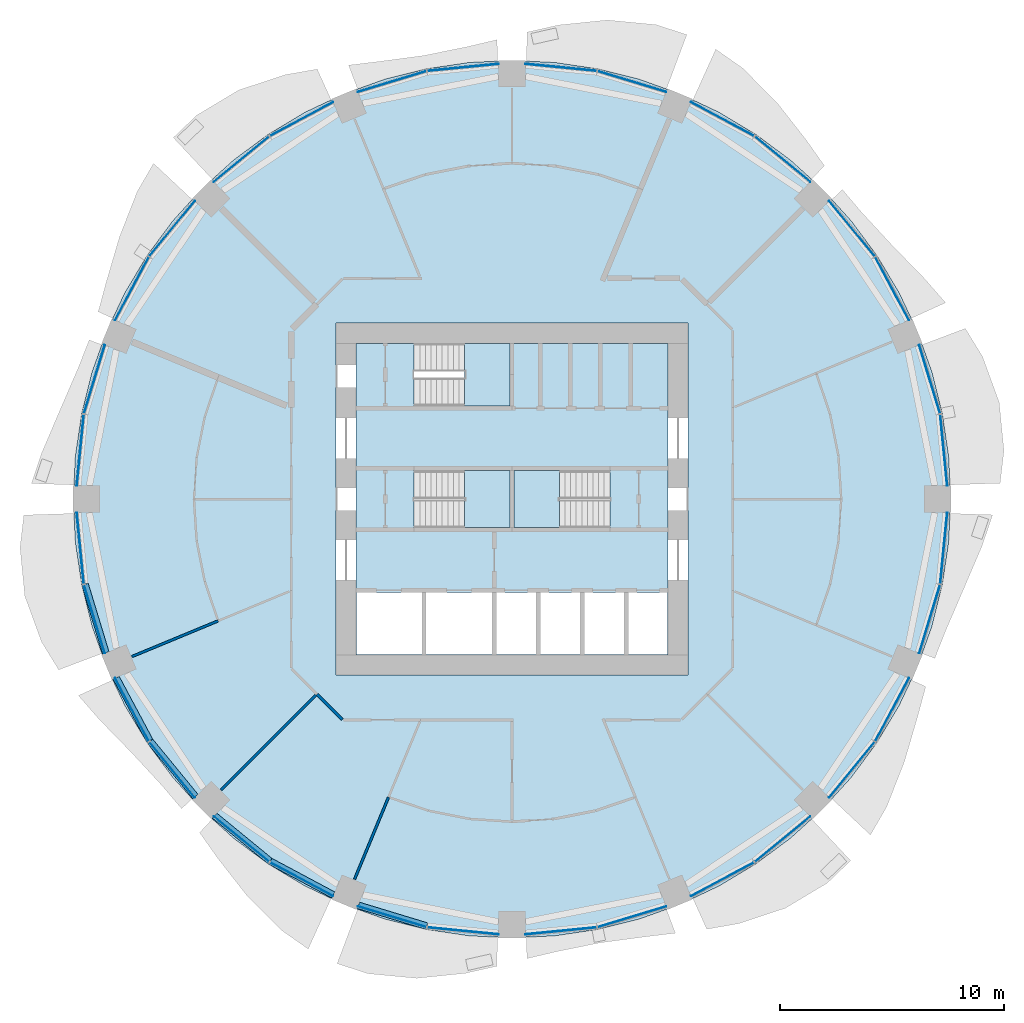
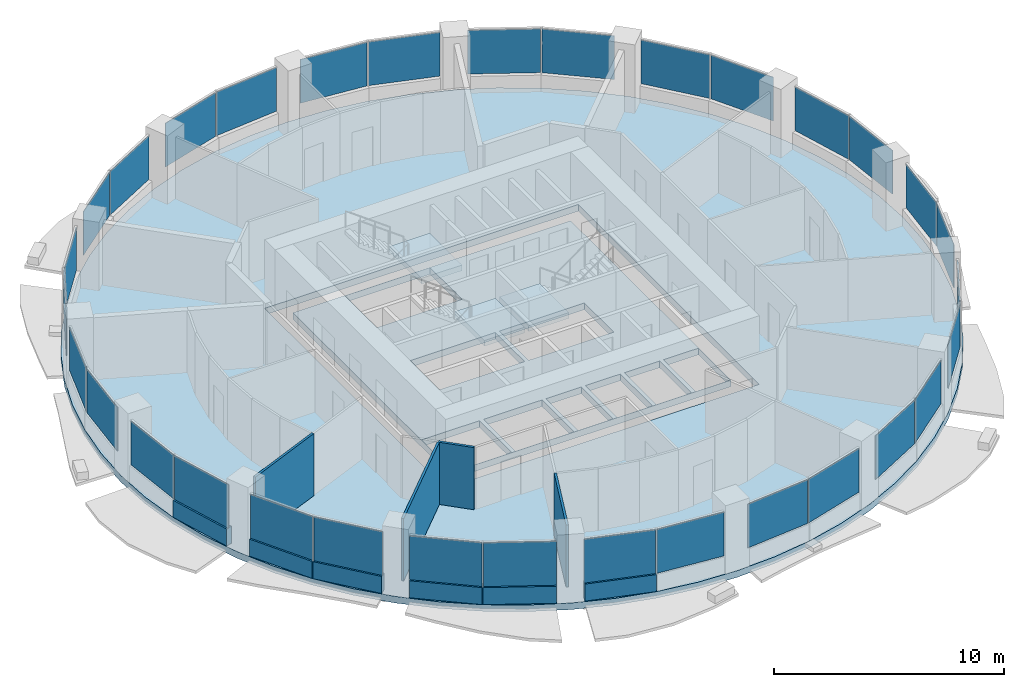
# One storey, part 7 of 15: 32 plates, 10 walls, 5 slabs, 19 elements without a shape of their own.
"""IFC4 building model written with IfcOpenShell, lengths in metres."""

from ifc_helpers import new_model, si_unit, direction, frame, frame_2d, origin, origin_2d, place, context, subcontext, project, spatial, polyline, rectangle, outline, extrude, material, layer, layer_set, type_object, element, aggregate, save


model = new_model("IFC4")

# Units and contexts
model_context = context("Model", 3, precision=1e-05, world=origin(), true_north=direction((0.0, 1.0)))
body_context = subcontext(model_context, "Body", "Model", "MODEL_VIEW")
ifc_project = project(units=[si_unit("LENGTHUNIT", "METRE"), si_unit("AREAUNIT", "SQUARE_METRE"), si_unit("VOLUMEUNIT", "CUBIC_METRE"), si_unit("PLANEANGLEUNIT", "RADIAN"), si_unit("MASSUNIT", "GRAM", prefix="KILO")], contexts=[model_context])

# Site, building, storey
site_placement = place(None, origin())
site = spatial("IfcSite", under=ifc_project, at=site_placement, CompositionType="ELEMENT")
building_placement = place(site_placement, origin())
building = spatial("IfcBuilding", under=site, at=building_placement, Name="Polderwave Tower", CompositionType="ELEMENT")
storey_placement = place(building_placement, frame((0.0, 0.0, 48.10009765625)))
storey = spatial("IfcBuildingStorey", under=building, at=storey_placement, Name="L12", CompositionType="ELEMENT", Elevation=48.10009765625)

# Slab
ifc_material_1 = material(Name="Concrete C40/50", Category="concrete")
ifc_layer_1 = layer(ifc_material_1, 0.35009765625)
ifc_layer_set_1 = layer_set([ifc_layer_1], Name="Core floor slab 350")
slab_type_1 = type_object("IfcSlabType", Name="Core floor slab 350", PredefinedType="FLOOR", material=ifc_layer_set_1)
slab_1_placement = place(storey_placement, frame((0.0, 0.0, -0.35009765625)))
element("IfcSlab", 1, at=slab_1_placement, inside=storey, type_object=slab_type_1, Name="L12 core floor", PredefinedType="FLOOR", context=body_context, shape_type="SweptSolid", body=[
    extrude(outline(polyline([(-6.97412109375, -6.97412109375), (6.97412109375, -6.97412109375), (6.97412109375, 6.97412109375), (-6.97412109375, 6.97412109375), (-6.97412109375, -6.97412109375)]), holes=[polyline([(-6.9541015625, -6.9541015625), (-4.037109375, -6.9541015625), (-4.037109375, -4.174072265625), (-6.9541015625, -4.174072265625), (-6.9541015625, -6.9541015625)]), polyline([(-3.8369140625, -6.9541015625), (-0.89990234375, -6.9541015625), (-0.89990234375, -4.174072265625), (-3.8369140625, -4.174072265625), (-3.8369140625, -6.9541015625)]), polyline([(-0.699951171875, -6.9541015625), (1.068603515625, -6.9541015625), (1.068603515625, -4.174072265625), (-0.699951171875, -4.174072265625), (-0.699951171875, -6.9541015625)]), polyline([(1.2685546875, -6.9541015625), (3.037109375, -6.9541015625), (3.037109375, -4.174072265625), (1.2685546875, -4.174072265625), (1.2685546875, -6.9541015625)]), polyline([(3.237060546875, -6.9541015625), (5.005615234375, -6.9541015625), (5.005615234375, -4.174072265625), (3.237060546875, -4.174072265625), (3.237060546875, -6.9541015625)]), polyline([(5.20556640625, -6.9541015625), (6.9541015625, -6.9541015625), (6.9541015625, -4.174072265625), (5.20556640625, -4.174072265625), (5.20556640625, -6.9541015625)]), polyline([(-4.37353515625, -1.2744140625), (-0.1005859375, -1.2744140625), (-0.1005859375, 1.2744140625), (-4.37353515625, 1.2744140625), (-4.37353515625, -1.2744140625)]), polyline([(0.1005859375, -1.2744140625), (4.37353515625, -1.2744140625), (4.37353515625, 1.2744140625), (0.1005859375, 1.2744140625), (0.1005859375, -1.2744140625)]), polyline([(-4.37353515625, 4.174560546875), (-0.1005859375, 4.174560546875), (-0.1005859375, 6.9541015625), (-4.37353515625, 6.9541015625), (-4.37353515625, 4.174560546875)])]), origin(), (0.0, 0.0, 1.0), 0.35009765625),
])

# Curtain wall, plates
ifc_material_2 = material(Name="Aluminium 6063-T6 and glass", Category="aluminium")
curtain_wall_type = type_object("IfcCurtainWallType", Name="Growing floor ribbon glazing wall", PredefinedType="NOTDEFINED", material=ifc_material_2)
curtain_wall_1_placement = place(storey_placement, origin())
curtain_wall_1 = element("IfcCurtainWall", 2, at=curtain_wall_1_placement, inside=storey, type_object=curtain_wall_type, Name="CW2 L12 00", PredefinedType="NOTDEFINED")
ifc_material_3 = material(Name="Glass, low-e laminated double glazing", Category="glass")
ifc_layer_2 = layer(ifc_material_3, 0.028076171875)
ifc_layer_set_2 = layer_set([ifc_layer_2], Name="Growing floor ribbon glazing glass panel 28 mm")
plate_type = type_object("IfcPlateType", Name="Growing floor ribbon glazing glass panel 28 mm", PredefinedType="CURTAIN_PANEL", material=ifc_layer_set_2)
plate_1_placement = place(storey_placement, frame((19.314453125, 2.190185546875, 0.89990234375), z_axis=(0.0, 0.0, 1.0), x_axis=(-0.097968506312, 0.995189515505, 0.0)))
plate_1 = element("IfcPlate", 3, at=plate_1_placement, type_object=plate_type, Name="CW2 panel 1", PredefinedType="CURTAIN_PANEL", context=body_context, shape_type="SweptSolid", body=[
    extrude(rectangle(XDim=3.195556640625, YDim=0.028076171875, at=origin_2d()), origin(), (0.0, 0.0, 1.0), 2.320068359375),
])
plate_2_placement = place(storey_placement, frame((18.68212890625, 5.367919921875, 0.89990234375), z_axis=(0.0, 0.0, 1.0), x_axis=(-0.290446680162, 0.956891177712, 0.0)))
plate_2 = element("IfcPlate", 4, at=plate_2_placement, type_object=plate_type, Name="CW2 panel 2", PredefinedType="CURTAIN_PANEL", context=body_context, shape_type="SweptSolid", body=[
    extrude(rectangle(XDim=3.196044921875, YDim=0.028076171875, at=origin_2d()), origin(), (0.0, 0.0, 1.0), 2.320068359375),
])
aggregate(curtain_wall_1, [plate_1, plate_2])

curtain_wall_2_placement = place(storey_placement, origin())
curtain_wall_2 = element("IfcCurtainWall", 5, at=curtain_wall_2_placement, inside=storey, type_object=curtain_wall_type, Name="CW2 L12 01", PredefinedType="NOTDEFINED")
plate_3_placement = place(storey_placement, frame((17.006103515625, 9.414794921875, 0.89990234375), z_axis=(0.0, 0.0, 1.0), x_axis=(-0.471361333858, 0.881940186716, 0.0)))
plate_3 = element("IfcPlate", 6, at=plate_3_placement, type_object=plate_type, Name="CW2 panel 1", PredefinedType="CURTAIN_PANEL", context=body_context, shape_type="SweptSolid", body=[
    extrude(rectangle(XDim=3.194580078125, YDim=0.028076171875, at=origin_2d()), origin(), (0.0, 0.0, 1.0), 2.320068359375),
])
plate_4_placement = place(storey_placement, frame((15.2060546875, 12.108642578125, 0.89990234375), z_axis=(0.0, 0.0, 1.0), x_axis=(-0.634435107126, 0.772976128251, 0.0)))
plate_4 = element("IfcPlate", 7, at=plate_4_placement, type_object=plate_type, Name="CW2 panel 2", PredefinedType="CURTAIN_PANEL", context=body_context, shape_type="SweptSolid", body=[
    extrude(rectangle(XDim=3.196533203125, YDim=0.028076171875, at=origin_2d()), origin(), (0.0, 0.0, 1.0), 2.320068359375),
])
aggregate(curtain_wall_2, [plate_3, plate_4])

curtain_wall_3_placement = place(storey_placement, origin())
curtain_wall_3 = element("IfcCurtainWall", 8, at=curtain_wall_3_placement, inside=storey, type_object=curtain_wall_type, Name="CW2 L12 02", PredefinedType="NOTDEFINED")
plate_5_placement = place(storey_placement, frame((12.108642578125, 15.2060546875, 0.89990234375), z_axis=(0.0, 0.0, 1.0), x_axis=(-0.772976128251, 0.634435107126, 0.0)))
plate_5 = element("IfcPlate", 9, at=plate_5_placement, type_object=plate_type, Name="CW2 panel 1", PredefinedType="CURTAIN_PANEL", context=body_context, shape_type="SweptSolid", body=[
    extrude(rectangle(XDim=3.196533203125, YDim=0.028076171875, at=origin_2d()), origin(), (0.0, 0.0, 1.0), 2.320068359375),
])
plate_6_placement = place(storey_placement, frame((9.414794921875, 17.006103515625, 0.89990234375), z_axis=(0.0, 0.0, 1.0), x_axis=(-0.881940186716, 0.471361333858, 0.0)))
plate_6 = element("IfcPlate", 10, at=plate_6_placement, type_object=plate_type, Name="CW2 panel 2", PredefinedType="CURTAIN_PANEL", context=body_context, shape_type="SweptSolid", body=[
    extrude(rectangle(XDim=3.194580078125, YDim=0.028076171875, at=origin_2d()), origin(), (0.0, 0.0, 1.0), 2.320068359375),
])
aggregate(curtain_wall_3, [plate_5, plate_6])

curtain_wall_4_placement = place(storey_placement, origin())
curtain_wall_4 = element("IfcCurtainWall", 11, at=curtain_wall_4_placement, inside=storey, type_object=curtain_wall_type, Name="CW2 L12 03", PredefinedType="NOTDEFINED")
plate_7_placement = place(storey_placement, frame((5.367919921875, 18.68212890625, 0.89990234375), z_axis=(0.0, 0.0, 1.0), x_axis=(-0.956891177712, 0.290446680162, 0.0)))
plate_7 = element("IfcPlate", 12, at=plate_7_placement, type_object=plate_type, Name="CW2 panel 1", PredefinedType="CURTAIN_PANEL", context=body_context, shape_type="SweptSolid", body=[
    extrude(rectangle(XDim=3.196044921875, YDim=0.028076171875, at=origin_2d()), origin(), (0.0, 0.0, 1.0), 2.320068359375),
])
plate_8_placement = place(storey_placement, frame((2.190185546875, 19.314453125, 0.89990234375), z_axis=(0.0, 0.0, 1.0), x_axis=(-0.995189515505, 0.097968506312, 0.0)))
plate_8 = element("IfcPlate", 13, at=plate_8_placement, type_object=plate_type, Name="CW2 panel 2", PredefinedType="CURTAIN_PANEL", context=body_context, shape_type="SweptSolid", body=[
    extrude(rectangle(XDim=3.195556640625, YDim=0.028076171875, at=origin_2d()), origin(), (0.0, 0.0, 1.0), 2.320068359375),
])
aggregate(curtain_wall_4, [plate_7, plate_8])

curtain_wall_5_placement = place(storey_placement, origin())
curtain_wall_5 = element("IfcCurtainWall", 14, at=curtain_wall_5_placement, inside=storey, type_object=curtain_wall_type, Name="CW2 L12 04", PredefinedType="NOTDEFINED")
plate_9_placement = place(storey_placement, frame((-2.190185546875, 19.314453125, 0.89990234375), z_axis=(0.0, 0.0, 1.0), x_axis=(-0.995189515505, -0.097968506312, 0.0)))
plate_9 = element("IfcPlate", 15, at=plate_9_placement, type_object=plate_type, Name="CW2 panel 1", PredefinedType="CURTAIN_PANEL", context=body_context, shape_type="SweptSolid", body=[
    extrude(rectangle(XDim=3.195556640625, YDim=0.028076171875, at=origin_2d()), origin(), (0.0, 0.0, 1.0), 2.320068359375),
])
plate_10_placement = place(storey_placement, frame((-5.367919921875, 18.68212890625, 0.89990234375), z_axis=(0.0, 0.0, 1.0), x_axis=(-0.956891177712, -0.290446680162, 0.0)))
plate_10 = element("IfcPlate", 16, at=plate_10_placement, type_object=plate_type, Name="CW2 panel 2", PredefinedType="CURTAIN_PANEL", context=body_context, shape_type="SweptSolid", body=[
    extrude(rectangle(XDim=3.196044921875, YDim=0.028076171875, at=origin_2d()), origin(), (0.0, 0.0, 1.0), 2.320068359375),
])
aggregate(curtain_wall_5, [plate_9, plate_10])

curtain_wall_6_placement = place(storey_placement, origin())
curtain_wall_6 = element("IfcCurtainWall", 17, at=curtain_wall_6_placement, inside=storey, type_object=curtain_wall_type, Name="CW2 L12 05", PredefinedType="NOTDEFINED")
plate_11_placement = place(storey_placement, frame((-9.414794921875, 17.006103515625, 0.89990234375), z_axis=(0.0, 0.0, 1.0), x_axis=(-0.881940186716, -0.471361333858, 0.0)))
plate_11 = element("IfcPlate", 18, at=plate_11_placement, type_object=plate_type, Name="CW2 panel 1", PredefinedType="CURTAIN_PANEL", context=body_context, shape_type="SweptSolid", body=[
    extrude(rectangle(XDim=3.194580078125, YDim=0.028076171875, at=origin_2d()), origin(), (0.0, 0.0, 1.0), 2.320068359375),
])
plate_12_placement = place(storey_placement, frame((-12.108642578125, 15.2060546875, 0.89990234375), z_axis=(0.0, 0.0, 1.0), x_axis=(-0.772976128251, -0.634435107126, 0.0)))
plate_12 = element("IfcPlate", 19, at=plate_12_placement, type_object=plate_type, Name="CW2 panel 2", PredefinedType="CURTAIN_PANEL", context=body_context, shape_type="SweptSolid", body=[
    extrude(rectangle(XDim=3.196533203125, YDim=0.028076171875, at=origin_2d()), origin(), (0.0, 0.0, 1.0), 2.320068359375),
])
aggregate(curtain_wall_6, [plate_11, plate_12])

curtain_wall_7_placement = place(storey_placement, origin())
curtain_wall_7 = element("IfcCurtainWall", 20, at=curtain_wall_7_placement, inside=storey, type_object=curtain_wall_type, Name="CW2 L12 06", PredefinedType="NOTDEFINED")
plate_13_placement = place(storey_placement, frame((-15.2060546875, 12.108642578125, 0.89990234375), z_axis=(0.0, 0.0, 1.0), x_axis=(-0.634435107126, -0.772976128251, 0.0)))
plate_13 = element("IfcPlate", 21, at=plate_13_placement, type_object=plate_type, Name="CW2 panel 1", PredefinedType="CURTAIN_PANEL", context=body_context, shape_type="SweptSolid", body=[
    extrude(rectangle(XDim=3.196533203125, YDim=0.028076171875, at=origin_2d()), origin(), (0.0, 0.0, 1.0), 2.320068359375),
])
plate_14_placement = place(storey_placement, frame((-17.006103515625, 9.414794921875, 0.89990234375), z_axis=(0.0, 0.0, 1.0), x_axis=(-0.471361333858, -0.881940186716, 0.0)))
plate_14 = element("IfcPlate", 22, at=plate_14_placement, type_object=plate_type, Name="CW2 panel 2", PredefinedType="CURTAIN_PANEL", context=body_context, shape_type="SweptSolid", body=[
    extrude(rectangle(XDim=3.194580078125, YDim=0.028076171875, at=origin_2d()), origin(), (0.0, 0.0, 1.0), 2.320068359375),
])
aggregate(curtain_wall_7, [plate_13, plate_14])

curtain_wall_8_placement = place(storey_placement, origin())
curtain_wall_8 = element("IfcCurtainWall", 23, at=curtain_wall_8_placement, inside=storey, type_object=curtain_wall_type, Name="CW2 L12 07", PredefinedType="NOTDEFINED")
plate_15_placement = place(storey_placement, frame((-18.68212890625, 5.367919921875, 0.89990234375), z_axis=(0.0, 0.0, 1.0), x_axis=(-0.290446680162, -0.956891177712, 0.0)))
plate_15 = element("IfcPlate", 24, at=plate_15_placement, type_object=plate_type, Name="CW2 panel 1", PredefinedType="CURTAIN_PANEL", context=body_context, shape_type="SweptSolid", body=[
    extrude(rectangle(XDim=3.196044921875, YDim=0.028076171875, at=origin_2d()), origin(), (0.0, 0.0, 1.0), 2.320068359375),
])
plate_16_placement = place(storey_placement, frame((-19.314453125, 2.190185546875, 0.89990234375), z_axis=(0.0, 0.0, 1.0), x_axis=(-0.097968506312, -0.995189515505, 0.0)))
plate_16 = element("IfcPlate", 25, at=plate_16_placement, type_object=plate_type, Name="CW2 panel 2", PredefinedType="CURTAIN_PANEL", context=body_context, shape_type="SweptSolid", body=[
    extrude(rectangle(XDim=3.195556640625, YDim=0.028076171875, at=origin_2d()), origin(), (0.0, 0.0, 1.0), 2.320068359375),
])
aggregate(curtain_wall_8, [plate_15, plate_16])

curtain_wall_9_placement = place(storey_placement, origin())
curtain_wall_9 = element("IfcCurtainWall", 26, at=curtain_wall_9_placement, inside=storey, type_object=curtain_wall_type, Name="CW2 L12 08", PredefinedType="NOTDEFINED")
plate_17_placement = place(storey_placement, frame((-19.314453125, -2.190185546875, 0.89990234375), z_axis=(0.0, 0.0, 1.0), x_axis=(0.097968506312, -0.995189515505, 0.0)))
plate_17 = element("IfcPlate", 27, at=plate_17_placement, type_object=plate_type, Name="CW2 panel 1", PredefinedType="CURTAIN_PANEL", context=body_context, shape_type="SweptSolid", body=[
    extrude(rectangle(XDim=3.195556640625, YDim=0.028076171875, at=origin_2d()), origin(), (0.0, 0.0, 1.0), 2.320068359375),
])
plate_18_placement = place(storey_placement, frame((-18.68212890625, -5.367919921875, 0.89990234375), z_axis=(0.0, 0.0, 1.0), x_axis=(0.290446680162, -0.956891177712, 0.0)))
plate_18 = element("IfcPlate", 28, at=plate_18_placement, type_object=plate_type, Name="CW2 panel 2", PredefinedType="CURTAIN_PANEL", context=body_context, shape_type="SweptSolid", body=[
    extrude(rectangle(XDim=3.196044921875, YDim=0.028076171875, at=origin_2d()), origin(), (0.0, 0.0, 1.0), 2.320068359375),
])
aggregate(curtain_wall_9, [plate_17, plate_18])

curtain_wall_10_placement = place(storey_placement, origin())
curtain_wall_10 = element("IfcCurtainWall", 29, at=curtain_wall_10_placement, inside=storey, type_object=curtain_wall_type, Name="CW2 L12 09", PredefinedType="NOTDEFINED")
plate_19_placement = place(storey_placement, frame((-17.006103515625, -9.414794921875, 0.89990234375), z_axis=(0.0, 0.0, 1.0), x_axis=(0.471361333858, -0.881940186716, 0.0)))
plate_19 = element("IfcPlate", 30, at=plate_19_placement, type_object=plate_type, Name="CW2 panel 1", PredefinedType="CURTAIN_PANEL", context=body_context, shape_type="SweptSolid", body=[
    extrude(rectangle(XDim=3.194580078125, YDim=0.028076171875, at=origin_2d()), origin(), (0.0, 0.0, 1.0), 2.320068359375),
])
plate_20_placement = place(storey_placement, frame((-15.2060546875, -12.108642578125, 0.89990234375), z_axis=(0.0, 0.0, 1.0), x_axis=(0.634435107126, -0.772976128251, 0.0)))
plate_20 = element("IfcPlate", 31, at=plate_20_placement, type_object=plate_type, Name="CW2 panel 2", PredefinedType="CURTAIN_PANEL", context=body_context, shape_type="SweptSolid", body=[
    extrude(rectangle(XDim=3.196533203125, YDim=0.028076171875, at=origin_2d()), origin(), (0.0, 0.0, 1.0), 2.320068359375),
])
aggregate(curtain_wall_10, [plate_19, plate_20])

curtain_wall_11_placement = place(storey_placement, origin())
curtain_wall_11 = element("IfcCurtainWall", 32, at=curtain_wall_11_placement, inside=storey, type_object=curtain_wall_type, Name="CW2 L12 10", PredefinedType="NOTDEFINED")
plate_21_placement = place(storey_placement, frame((-12.108642578125, -15.2060546875, 0.89990234375), z_axis=(0.0, 0.0, 1.0), x_axis=(0.772976128251, -0.634435107126, 0.0)))
plate_21 = element("IfcPlate", 33, at=plate_21_placement, type_object=plate_type, Name="CW2 panel 1", PredefinedType="CURTAIN_PANEL", context=body_context, shape_type="SweptSolid", body=[
    extrude(rectangle(XDim=3.196533203125, YDim=0.028076171875, at=origin_2d()), origin(), (0.0, 0.0, 1.0), 2.320068359375),
])
plate_22_placement = place(storey_placement, frame((-9.414794921875, -17.006103515625, 0.89990234375), z_axis=(0.0, 0.0, 1.0), x_axis=(0.881940186716, -0.471361333858, 0.0)))
plate_22 = element("IfcPlate", 34, at=plate_22_placement, type_object=plate_type, Name="CW2 panel 2", PredefinedType="CURTAIN_PANEL", context=body_context, shape_type="SweptSolid", body=[
    extrude(rectangle(XDim=3.194580078125, YDim=0.028076171875, at=origin_2d()), origin(), (0.0, 0.0, 1.0), 2.320068359375),
])
aggregate(curtain_wall_11, [plate_21, plate_22])

curtain_wall_12_placement = place(storey_placement, origin())
curtain_wall_12 = element("IfcCurtainWall", 35, at=curtain_wall_12_placement, inside=storey, type_object=curtain_wall_type, Name="CW2 L12 11", PredefinedType="NOTDEFINED")
plate_23_placement = place(storey_placement, frame((-5.367919921875, -18.68212890625, 0.89990234375), z_axis=(0.0, 0.0, 1.0), x_axis=(0.956891177712, -0.290446680162, 0.0)))
plate_23 = element("IfcPlate", 36, at=plate_23_placement, type_object=plate_type, Name="CW2 panel 1", PredefinedType="CURTAIN_PANEL", context=body_context, shape_type="SweptSolid", body=[
    extrude(rectangle(XDim=3.196044921875, YDim=0.028076171875, at=origin_2d()), origin(), (0.0, 0.0, 1.0), 2.320068359375),
])
plate_24_placement = place(storey_placement, frame((-2.190185546875, -19.314453125, 0.89990234375), z_axis=(0.0, 0.0, 1.0), x_axis=(0.995189515505, -0.097968506312, 0.0)))
plate_24 = element("IfcPlate", 37, at=plate_24_placement, type_object=plate_type, Name="CW2 panel 2", PredefinedType="CURTAIN_PANEL", context=body_context, shape_type="SweptSolid", body=[
    extrude(rectangle(XDim=3.195556640625, YDim=0.028076171875, at=origin_2d()), origin(), (0.0, 0.0, 1.0), 2.320068359375),
])
aggregate(curtain_wall_12, [plate_23, plate_24])

curtain_wall_13_placement = place(storey_placement, origin())
curtain_wall_13 = element("IfcCurtainWall", 38, at=curtain_wall_13_placement, inside=storey, type_object=curtain_wall_type, Name="CW2 L12 12", PredefinedType="NOTDEFINED")
plate_25_placement = place(storey_placement, frame((2.190185546875, -19.314453125, 0.89990234375), z_axis=(0.0, 0.0, 1.0), x_axis=(0.995189515505, 0.097968506312, 0.0)))
plate_25 = element("IfcPlate", 39, at=plate_25_placement, type_object=plate_type, Name="CW2 panel 1", PredefinedType="CURTAIN_PANEL", context=body_context, shape_type="SweptSolid", body=[
    extrude(rectangle(XDim=3.195556640625, YDim=0.028076171875, at=origin_2d()), origin(), (0.0, 0.0, 1.0), 2.320068359375),
])
plate_26_placement = place(storey_placement, frame((5.367919921875, -18.68212890625, 0.89990234375), z_axis=(0.0, 0.0, 1.0), x_axis=(0.956891177712, 0.290446680162, 0.0)))
plate_26 = element("IfcPlate", 40, at=plate_26_placement, type_object=plate_type, Name="CW2 panel 2", PredefinedType="CURTAIN_PANEL", context=body_context, shape_type="SweptSolid", body=[
    extrude(rectangle(XDim=3.196044921875, YDim=0.028076171875, at=origin_2d()), origin(), (0.0, 0.0, 1.0), 2.320068359375),
])
aggregate(curtain_wall_13, [plate_25, plate_26])

curtain_wall_14_placement = place(storey_placement, origin())
curtain_wall_14 = element("IfcCurtainWall", 41, at=curtain_wall_14_placement, inside=storey, type_object=curtain_wall_type, Name="CW2 L12 13", PredefinedType="NOTDEFINED")
plate_27_placement = place(storey_placement, frame((9.414794921875, -17.006103515625, 0.89990234375), z_axis=(0.0, 0.0, 1.0), x_axis=(0.881940186716, 0.471361333858, 0.0)))
plate_27 = element("IfcPlate", 42, at=plate_27_placement, type_object=plate_type, Name="CW2 panel 1", PredefinedType="CURTAIN_PANEL", context=body_context, shape_type="SweptSolid", body=[
    extrude(rectangle(XDim=3.194580078125, YDim=0.028076171875, at=origin_2d()), origin(), (0.0, 0.0, 1.0), 2.320068359375),
])
plate_28_placement = place(storey_placement, frame((12.108642578125, -15.2060546875, 0.89990234375), z_axis=(0.0, 0.0, 1.0), x_axis=(0.772976128251, 0.634435107126, 0.0)))
plate_28 = element("IfcPlate", 43, at=plate_28_placement, type_object=plate_type, Name="CW2 panel 2", PredefinedType="CURTAIN_PANEL", context=body_context, shape_type="SweptSolid", body=[
    extrude(rectangle(XDim=3.196533203125, YDim=0.028076171875, at=origin_2d()), origin(), (0.0, 0.0, 1.0), 2.320068359375),
])
aggregate(curtain_wall_14, [plate_27, plate_28])

curtain_wall_15_placement = place(storey_placement, origin())
curtain_wall_15 = element("IfcCurtainWall", 44, at=curtain_wall_15_placement, inside=storey, type_object=curtain_wall_type, Name="CW2 L12 14", PredefinedType="NOTDEFINED")
plate_29_placement = place(storey_placement, frame((15.2060546875, -12.108642578125, 0.89990234375), z_axis=(0.0, 0.0, 1.0), x_axis=(0.634435107126, 0.772976128251, 0.0)))
plate_29 = element("IfcPlate", 45, at=plate_29_placement, type_object=plate_type, Name="CW2 panel 1", PredefinedType="CURTAIN_PANEL", context=body_context, shape_type="SweptSolid", body=[
    extrude(rectangle(XDim=3.196533203125, YDim=0.028076171875, at=origin_2d()), origin(), (0.0, 0.0, 1.0), 2.320068359375),
])
plate_30_placement = place(storey_placement, frame((17.006103515625, -9.414794921875, 0.89990234375), z_axis=(0.0, 0.0, 1.0), x_axis=(0.471361333858, 0.881940186716, 0.0)))
plate_30 = element("IfcPlate", 46, at=plate_30_placement, type_object=plate_type, Name="CW2 panel 2", PredefinedType="CURTAIN_PANEL", context=body_context, shape_type="SweptSolid", body=[
    extrude(rectangle(XDim=3.194580078125, YDim=0.028076171875, at=origin_2d()), origin(), (0.0, 0.0, 1.0), 2.320068359375),
])
aggregate(curtain_wall_15, [plate_29, plate_30])

curtain_wall_16_placement = place(storey_placement, origin())
curtain_wall_16 = element("IfcCurtainWall", 47, at=curtain_wall_16_placement, inside=storey, type_object=curtain_wall_type, Name="CW2 L12 15", PredefinedType="NOTDEFINED")
plate_31_placement = place(storey_placement, frame((18.68212890625, -5.367919921875, 0.89990234375), z_axis=(0.0, 0.0, 1.0), x_axis=(0.290446680162, 0.956891177712, 0.0)))
plate_31 = element("IfcPlate", 48, at=plate_31_placement, type_object=plate_type, Name="CW2 panel 1", PredefinedType="CURTAIN_PANEL", context=body_context, shape_type="SweptSolid", body=[
    extrude(rectangle(XDim=3.196044921875, YDim=0.028076171875, at=origin_2d()), origin(), (0.0, 0.0, 1.0), 2.320068359375),
])
plate_32_placement = place(storey_placement, frame((19.314453125, -2.190185546875, 0.89990234375), z_axis=(0.0, 0.0, 1.0), x_axis=(0.097968506312, 0.995189515505, 0.0)))
plate_32 = element("IfcPlate", 49, at=plate_32_placement, type_object=plate_type, Name="CW2 panel 2", PredefinedType="CURTAIN_PANEL", context=body_context, shape_type="SweptSolid", body=[
    extrude(rectangle(XDim=3.195556640625, YDim=0.028076171875, at=origin_2d()), origin(), (0.0, 0.0, 1.0), 2.320068359375),
])
aggregate(curtain_wall_16, [plate_31, plate_32])

# Slab
ifc_layer_3 = layer(ifc_material_1, 0.35009765625)
ifc_layer_set_3 = layer_set([ifc_layer_3], Name="PT FLOOR SLAB 350 C40/50")
slab_type_2 = type_object("IfcSlabType", Name="PT FLOOR SLAB 350 C40/50", PredefinedType="FLOOR", material=ifc_layer_set_3)
slab_2_placement = place(storey_placement, frame((0.0, 0.0, -0.35009765625)))
element("IfcSlab", 50, at=slab_2_placement, inside=storey, type_object=slab_type_2, Name="ST-SLAB-L12", PredefinedType="FLOOR", context=body_context, shape_type="SweptSolid", body=[
    extrude(outline(polyline([(19.6298828125, 0.0), (19.535400390625, 1.924072265625), (19.252685546875, 3.82958984375), (18.78466796875, 5.6982421875), (18.1357421875, 7.51220703125), (17.31201171875, 9.25341796875), (16.32177734375, 10.90576171875), (15.17431640625, 12.453125), (13.880615234375, 13.880615234375), (12.453125, 15.17431640625), (10.90576171875, 16.32177734375), (9.25341796875, 17.31201171875), (7.51220703125, 18.1357421875), (5.6982421875, 18.78466796875), (3.82958984375, 19.252685546875), (1.924072265625, 19.535400390625), (0.0, 19.6298828125), (-1.924072265625, 19.535400390625), (-3.82958984375, 19.252685546875), (-5.6982421875, 18.78466796875), (-7.51220703125, 18.1357421875), (-9.25341796875, 17.31201171875), (-10.90576171875, 16.32177734375), (-12.453125, 15.17431640625), (-13.880615234375, 13.880615234375), (-15.17431640625, 12.453125), (-16.32177734375, 10.90576171875), (-17.31201171875, 9.25341796875), (-18.1357421875, 7.51220703125), (-18.78466796875, 5.6982421875), (-19.252685546875, 3.82958984375), (-19.535400390625, 1.924072265625), (-19.6298828125, 0.0), (-19.535400390625, -1.924072265625), (-19.252685546875, -3.82958984375), (-18.78466796875, -5.6982421875), (-18.1357421875, -7.51220703125), (-17.31201171875, -9.25341796875), (-16.32177734375, -10.90576171875), (-15.17431640625, -12.453125), (-13.880615234375, -13.880615234375), (-12.453125, -15.17431640625), (-10.90576171875, -16.32177734375), (-9.25341796875, -17.31201171875), (-7.51220703125, -18.1357421875), (-5.6982421875, -18.78466796875), (-3.82958984375, -19.252685546875), (-1.924072265625, -19.535400390625), (0.0, -19.6298828125), (1.924072265625, -19.535400390625), (3.82958984375, -19.252685546875), (5.6982421875, -18.78466796875), (7.51220703125, -18.1357421875), (9.25341796875, -17.31201171875), (10.90576171875, -16.32177734375), (12.453125, -15.17431640625), (13.880615234375, -13.880615234375), (15.17431640625, -12.453125), (16.32177734375, -10.90576171875), (17.31201171875, -9.25341796875), (18.1357421875, -7.51220703125), (18.78466796875, -5.6982421875), (19.252685546875, -3.82958984375), (19.535400390625, -1.924072265625), (19.6298828125, 0.0)]), holes=[polyline([(-7.8740234375, -7.8740234375), (7.8740234375, -7.8740234375), (7.8740234375, 7.8740234375), (-7.8740234375, 7.8740234375), (-7.8740234375, -7.8740234375)])]), origin(), (0.0, 0.0, 1.0), 0.35009765625),
])

# Stair, slab
stair_type = type_object("IfcStairType", Name="Exit stair 1200 x 20 risers", PredefinedType="HALF_TURN_STAIR", material=ifc_material_1)
stair_1_placement = place(storey_placement, origin())
stair_1 = element("IfcStair", 51, at=stair_1_placement, inside=storey, type_object=stair_type, Name="L12 Exit stair A", PredefinedType="HALF_TURN_STAIR")
ifc_layer_4 = layer(ifc_material_1, 0.300048828125)
ifc_layer_set_4 = layer_set([ifc_layer_4], Name="Stair landing 300")
slab_type_3 = type_object("IfcSlabType", Name="Stair landing 300", PredefinedType="LANDING", material=ifc_layer_set_4)
slab_3_placement = place(storey_placement, frame((0.0, 0.0, 1.52490234375)))
slab_3 = element("IfcSlab", 52, at=slab_3_placement, type_object=slab_type_3, Name="ST-A landing 1", PredefinedType="LANDING", context=body_context, shape_type="SweptSolid", body=[
    extrude(outline(polyline([(-2.1240234375, -1.27490234375), (-0.10009765625, -1.27490234375), (-0.10009765625, 1.27490234375), (-2.1240234375, 1.27490234375), (-2.1240234375, -1.27490234375)])), origin(), (0.0, 0.0, 1.0), 0.300048828125),
])
aggregate(stair_1, [slab_3])

stair_2_placement = place(storey_placement, origin())
stair_2 = element("IfcStair", 53, at=stair_2_placement, inside=storey, type_object=stair_type, Name="L12 Exit stair B", PredefinedType="HALF_TURN_STAIR")
slab_4_placement = place(storey_placement, frame((0.0, 0.0, 1.52490234375)))
slab_4 = element("IfcSlab", 54, at=slab_4_placement, type_object=slab_type_3, Name="ST-B landing 1", PredefinedType="LANDING", context=body_context, shape_type="SweptSolid", body=[
    extrude(outline(polyline([(2.1240234375, 1.27490234375), (0.10009765625, 1.27490234375), (0.10009765625, -1.27490234375), (2.1240234375, -1.27490234375), (2.1240234375, 1.27490234375)])), origin(), (0.0, 0.0, 1.0), 0.300048828125),
])
aggregate(stair_2, [slab_4])

stair_3_placement = place(storey_placement, origin())
stair_3 = element("IfcStair", 55, at=stair_3_placement, inside=storey, type_object=stair_type, Name="L12 Exit stair C", PredefinedType="HALF_TURN_STAIR")
slab_5_placement = place(storey_placement, frame((0.0, 0.0, 1.52490234375)))
slab_5 = element("IfcSlab", 56, at=slab_5_placement, type_object=slab_type_3, Name="ST-C landing 1", PredefinedType="LANDING", context=body_context, shape_type="SweptSolid", body=[
    extrude(outline(polyline([(-2.1240234375, 4.174072265625), (-0.10009765625, 4.174072265625), (-0.10009765625, 6.97412109375), (-2.1240234375, 6.97412109375), (-2.1240234375, 4.174072265625)])), origin(), (0.0, 0.0, 1.0), 0.300048828125),
])
aggregate(stair_3, [slab_5])

# Walls
ifc_material_4 = material(Name="Concrete C50/60 (board-marked)", Category="concrete")
ifc_layer_5 = layer(ifc_material_4, 0.300048828125)
ifc_layer_set_5 = layer_set([ifc_layer_5], Name="Concrete spandrel upstand C50/60")
wall_type_1 = type_object("IfcWallType", Name="Concrete spandrel upstand C50/60", PredefinedType="SOLIDWALL", material=ifc_layer_set_5)
wall_1_placement = place(storey_placement, frame((-19.1015625, -3.814453125, 0.0), z_axis=(0.0, 0.0, 1.0), x_axis=(0.290585541792, -0.956849017819, 0.0)))
element("IfcWall", 57, at=wall_1_placement, inside=storey, type_object=wall_type_1, Name="Spandrel L12 9b", PredefinedType="SOLIDWALL", context=body_context, shape_type="SweptSolid", body=[
    extrude(rectangle(XDim=3.1875, YDim=0.300048828125, at=frame_2d((1.59375, 0.0))), origin(), (0.0, 0.0, 1.0), 0.89990234375),
])
wall_2_placement = place(storey_placement, frame((-17.705810546875, -7.998291015625, 0.0), z_axis=(0.0, 0.0, 1.0), x_axis=(0.471260138764, -0.881994263934, 0.0)))
element("IfcWall", 58, at=wall_2_placement, inside=storey, type_object=wall_type_1, Name="Spandrel L12 10a", PredefinedType="SOLIDWALL", context=body_context, shape_type="SweptSolid", body=[
    extrude(rectangle(XDim=3.1865234375, YDim=0.300048828125, at=frame_2d((1.59326171875, 0.0))), origin(), (0.0, 0.0, 1.0), 0.89990234375),
])
for number, where, z_axis, x_axis, name in (
    (59, (-16.1875, -10.83349609375, 0.0), (0.0, 0.0, 1.0), (0.634229767652, -0.773144618958, 0.0), "Spandrel L12 10b"),
    (60, (-13.29833984375, -14.16552734375, 0.0), (0.0, 0.0, 1.0), (0.773144618958, -0.634229767652, 0.0), "Spandrel L12 11a"),
):
    element("IfcWall", number, at=place(storey_placement, frame(where, z_axis=z_axis, x_axis=x_axis)), inside=storey, type_object=wall_type_1, Name=name, PredefinedType="SOLIDWALL", context=body_context, shape_type="SweptSolid", body=[
        extrude(rectangle(XDim=3.18798828125, YDim=0.300048828125, at=frame_2d((1.593994140625, 0.0))), origin(), (0.0, 0.0, 1.0), 0.89990234375),
    ])
wall_3_placement = place(storey_placement, frame((-10.808837890625, -16.2041015625, 0.0), z_axis=(0.0, 0.0, 1.0), x_axis=(0.881994263934, -0.471260138764, 0.0)))
element("IfcWall", 61, at=wall_3_placement, inside=storey, type_object=wall_type_1, Name="Spandrel L12 11b", PredefinedType="SOLIDWALL", context=body_context, shape_type="SweptSolid", body=[
    extrude(rectangle(XDim=3.1865234375, YDim=0.300048828125, at=frame_2d((1.59326171875, 0.0))), origin(), (0.0, 0.0, 1.0), 0.89990234375),
])
wall_4_placement = place(storey_placement, frame((-6.864501953125, -18.17529296875, 0.0), z_axis=(0.0, 0.0, 1.0), x_axis=(0.956849017819, -0.290585541792, 0.0)))
element("IfcWall", 62, at=wall_4_placement, inside=storey, type_object=wall_type_1, Name="Spandrel L12 12a", PredefinedType="SOLIDWALL", context=body_context, shape_type="SweptSolid", body=[
    extrude(rectangle(XDim=3.1875, YDim=0.300048828125, at=frame_2d((1.59375, 0.0))), origin(), (0.0, 0.0, 1.0), 0.89990234375),
])
ifc_material_5 = material(Name="Fire-resisting board on steel studs", Category="steel")
ifc_layer_6 = layer(ifc_material_5, 0.125)
ifc_layer_set_6 = layer_set([ifc_layer_6], Name="Corridor wall 125 mm EI 60")
wall_type_2 = type_object("IfcWallType", Name="Corridor wall 125 mm EI 60", PredefinedType="PARTITIONING", material=ifc_layer_set_6)
wall_5_placement = place(storey_placement, frame((-7.58935546875, -9.855712890625, 0.0), z_axis=(0.0, 0.0, 1.0), x_axis=(-0.707030604857, 0.70718294931, 0.0)))
element("IfcWall", 63, at=wall_5_placement, inside=storey, type_object=wall_type_2, Name="IN-L12-W017", PredefinedType="PARTITIONING", context=body_context, shape_type="SweptSolid", body=[
    extrude(rectangle(XDim=1.6025390625, YDim=0.125, at=frame_2d((0.80126953125, 0.0))), origin(), (0.0, 0.0, 1.0), 3.2998046875),
])
ifc_material_6 = material(Name="Acoustic double plasterboard on steel studs", Category="steel")
ifc_layer_7 = layer(ifc_material_6, 0.110107421875)
ifc_layer_set_7 = layer_set([ifc_layer_7], Name="Partition 110 mm acoustic double board")
wall_type_3 = type_object("IfcWallType", Name="Partition 110 mm acoustic double board", PredefinedType="PARTITIONING", material=ifc_layer_set_7)
wall_6_placement = place(storey_placement, frame((-13.146728515625, -5.445556640625, 0.0), z_axis=(0.0, 0.0, 1.0), x_axis=(-0.923873410436, -0.382698212028, 0.0)))
element("IfcWall", 64, at=wall_6_placement, inside=storey, type_object=wall_type_3, Name="IN-L12-W054", PredefinedType="PARTITIONING", context=body_context, shape_type="SweptSolid", body=[
    extrude(rectangle(XDim=4.170166015625, YDim=0.110107421875, at=frame_2d((2.0849609375, 0.0))), origin(), (0.0, 0.0, 1.0), 3.2998046875),
])
wall_7_placement = place(storey_placement, frame((-13.0107421875, -13.0107421875, 0.0), z_axis=(0.0, 0.0, 1.0), x_axis=(0.707106781187, 0.707106781187, 0.0)))
element("IfcWall", 65, at=wall_7_placement, inside=storey, type_object=wall_type_3, Name="IN-L12-W056", PredefinedType="PARTITIONING", context=body_context, shape_type="SweptSolid", body=[
    extrude(rectangle(XDim=6.002197265625, YDim=0.110107421875, at=frame_2d((3.0009765625, 0.0))), origin(), (0.0, 0.0, 1.0), 3.2998046875),
])
wall_8_placement = place(storey_placement, frame((-5.522216796875, -13.33154296875, 0.0), z_axis=(0.0, 0.0, 1.0), x_axis=(-0.382675844596, -0.923882675432, 0.0)))
element("IfcWall", 66, at=wall_8_placement, inside=storey, type_object=wall_type_3, Name="IN-L12-W058", PredefinedType="PARTITIONING", context=body_context, shape_type="SweptSolid", body=[
    extrude(rectangle(XDim=3.97021484375, YDim=0.110107421875, at=frame_2d((1.985107421875, 0.0))), origin(), (0.0, 0.0, 1.0), 3.2998046875),
])

save(model, "model.ifc")
